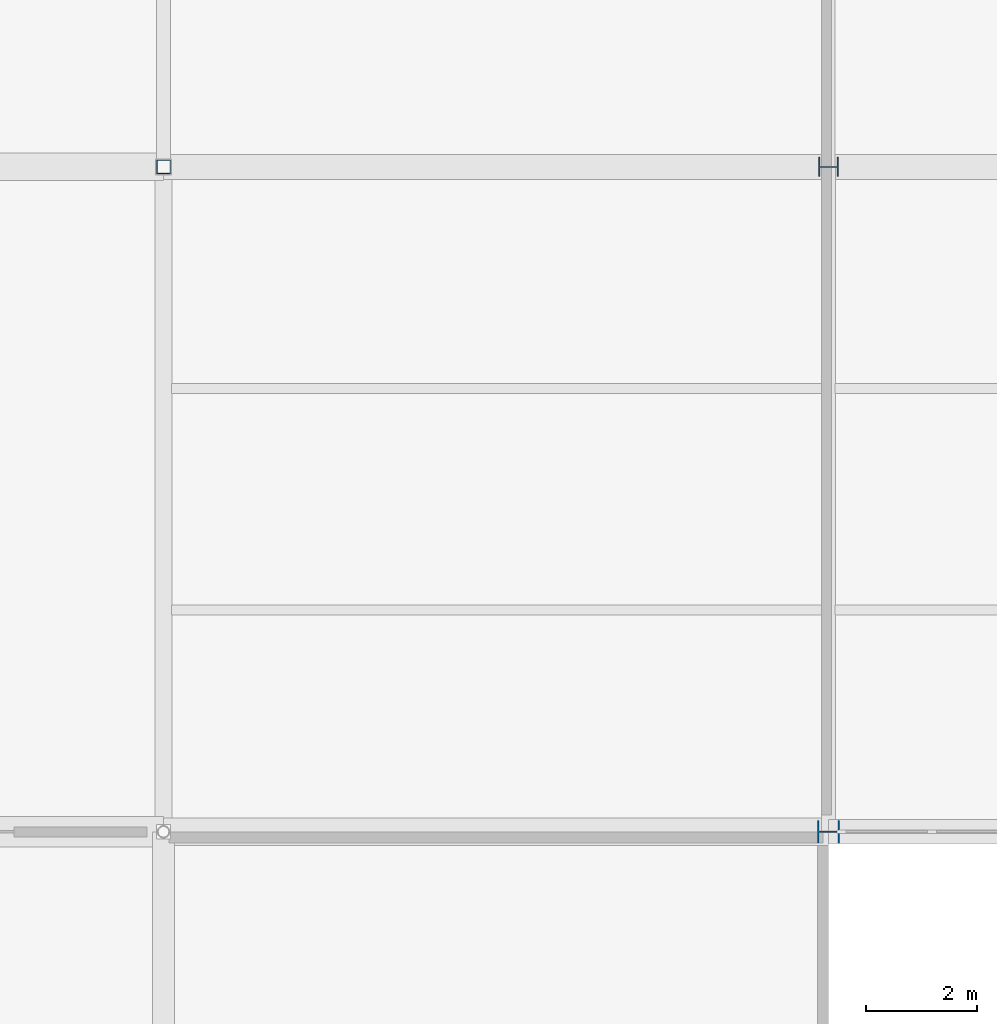
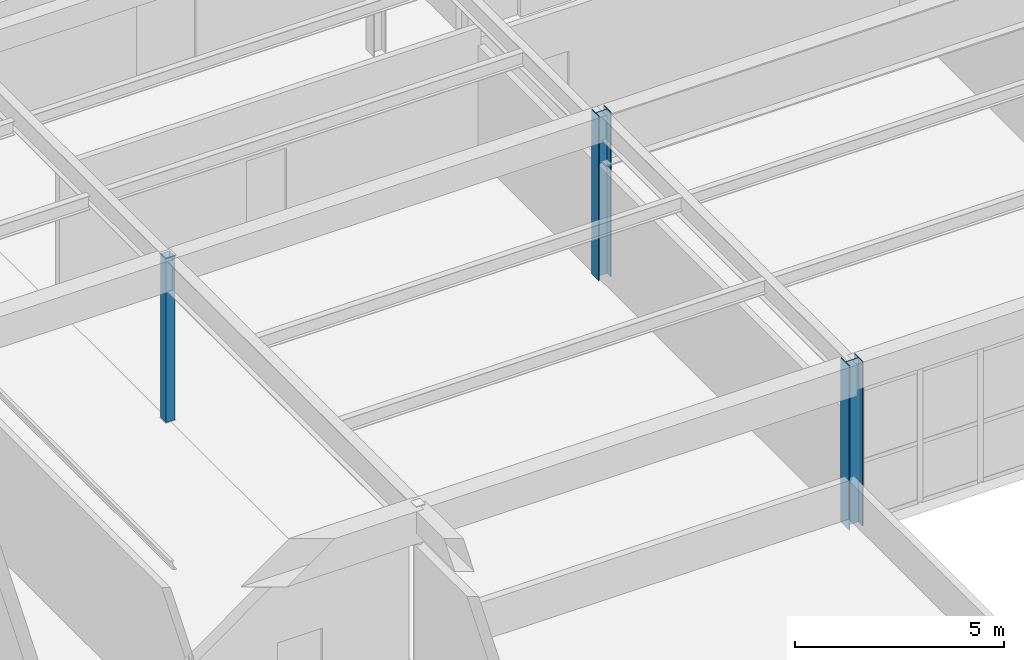
# One storey, part 19 of 186: 3 columns.
"""IFC4 building model written with IfcOpenShell, lengths in metres."""

from ifc_helpers import new_model, si_unit, direction, frame, origin, origin_2d, place, context, subcontext, project, spatial, hollow_rectangle, i_section, extrude, material, material_profile, profile_set, type_object, element, save


model = new_model("IFC4")

# Units and contexts
model_context = context("Model", 3, precision=1e-05, world=origin(), true_north=direction((0.0, 1.0)))
body_context = subcontext(model_context, "Body", "Model", "MODEL_VIEW")
ifc_project = project(units=[si_unit("LENGTHUNIT", "METRE"), si_unit("AREAUNIT", "SQUARE_METRE"), si_unit("VOLUMEUNIT", "CUBIC_METRE"), si_unit("PLANEANGLEUNIT", "RADIAN"), si_unit("MASSUNIT", "GRAM", prefix="KILO")], contexts=[model_context])

# Site, building, storey
site_placement = place(None, origin())
site = spatial("IfcSite", under=ifc_project, at=site_placement, CompositionType="ELEMENT")
building_placement = place(site_placement, origin())
building = spatial("IfcBuilding", under=site, at=building_placement, Name="Tarnwether General Hospital", CompositionType="ELEMENT")
storey_placement = place(building_placement, frame((0.0, 0.0, 9.60009765625)))
storey = spatial("IfcBuildingStorey", under=building, at=storey_placement, Name="L02", CompositionType="ELEMENT", Elevation=9.60009765625)

# Columns
ifc_material_1 = material(Name="Steel Grade 350 (350 MPa)", Category="steel")
ifc_material_profile_1 = material_profile(ifc_material_1, i_section(OverallWidth=0.39990234375, OverallDepth=0.39990234375, WebThickness=0.02001953125, FlangeThickness=0.028076171875, at=origin_2d()), Name="400WC270")
ifc_profile_set_1 = profile_set([ifc_material_profile_1], Name="Steel Grade 350 (350 MPa)")
column_type_1 = type_object("IfcColumnType", Name="COL-02", PredefinedType="COLUMN", material=ifc_profile_set_1)
column_1_placement = place(storey_placement, frame((60.0, 81.60009765625, 0.0), z_axis=(0.0, 0.0, 1.0), x_axis=(0.0, 1.0, 0.0)))
element("IfcColumn", 1, at=column_1_placement, inside=storey, type_object=column_type_1, Name="Column COLG-L02-6000_8160", PredefinedType="COLUMN", context=body_context, shape_type="SweptSolid", body=[
    extrude(i_section(OverallWidth=0.39990234375, OverallDepth=0.39990234375, WebThickness=0.02001953125, FlangeThickness=0.028076171875, at=origin_2d()), origin(), (0.0, 0.0, 1.0), 4.7998046875),
])
ifc_material_2 = material(Name="Steel Grade 350 (350 MPa)", Category="steel")
ifc_material_profile_2 = material_profile(ifc_material_2, i_section(OverallWidth=0.35009765625, OverallDepth=0.360107421875, WebThickness=0.01611328125, FlangeThickness=0.028076171875, at=origin_2d()), Name="350WC230")
ifc_profile_set_2 = profile_set([ifc_material_profile_2], Name="Steel Grade 350 (350 MPa)")
column_type_2 = type_object("IfcColumnType", Name="COL-03", PredefinedType="COLUMN", material=ifc_profile_set_2)
column_2_placement = place(storey_placement, frame((60.0, 93.60009765625, 0.0), z_axis=(0.0, 0.0, 1.0), x_axis=(0.0, 1.0, 0.0)))
element("IfcColumn", 2, at=column_2_placement, inside=storey, type_object=column_type_2, Name="Column COLG-L02-6000_9360", PredefinedType="COLUMN", context=body_context, shape_type="SweptSolid", body=[
    extrude(i_section(OverallWidth=0.35009765625, OverallDepth=0.360107421875, WebThickness=0.01611328125, FlangeThickness=0.028076171875, at=origin_2d()), origin(), (0.0, 0.0, 1.0), 4.7998046875),
])
ifc_material_3 = material(Name="Steel Grade C350L0 (350 MPa)", Category="steel")
ifc_material_profile_3 = material_profile(ifc_material_3, hollow_rectangle(XDim=0.25, YDim=0.25, WallThickness=0.012451171875, at=origin_2d()), Name="SHS250x250x12.5")
ifc_profile_set_3 = profile_set([ifc_material_profile_3], Name="Steel Grade C350L0 (350 MPa)")
column_type_3 = type_object("IfcColumnType", Name="COL-14", PredefinedType="COLUMN", material=ifc_profile_set_3)
column_3_placement = place(storey_placement, frame((48.0, 93.60009765625, 0.0), z_axis=(0.0, 0.0, 1.0), x_axis=(1.0, 0.0, 0.0)))
element("IfcColumn", 3, at=column_3_placement, inside=storey, type_object=column_type_3, Name="Column COLG-L02-4800_9360", PredefinedType="COLUMN", context=body_context, shape_type="SweptSolid", body=[
    extrude(hollow_rectangle(XDim=0.25, YDim=0.25, WallThickness=0.012451171875, at=origin_2d()), origin(), (0.0, 0.0, 1.0), 4.7998046875),
])

save(model, "model.ifc")
